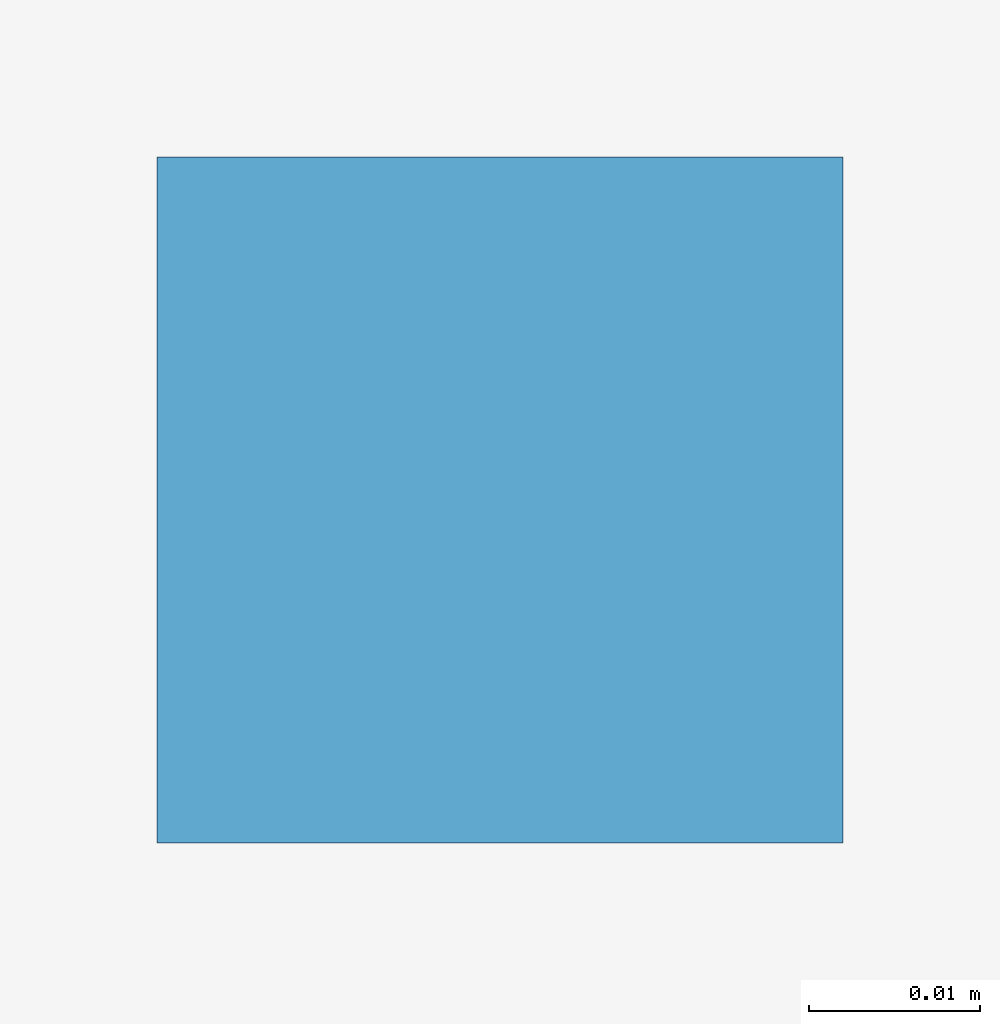
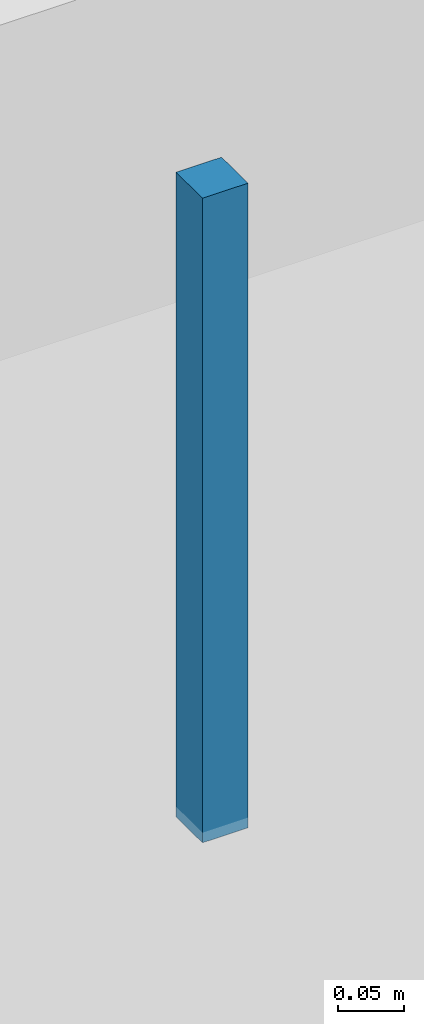
# One storey, part 57 of 74: 1 discrete accessory.
"""IFC4 building model written with IfcOpenShell, lengths in metres."""

from ifc_helpers import new_model, si_unit, direction, frame, origin, origin_2d, place, context, subcontext, project, spatial, rectangle, extrude, material, type_object, element, save


model = new_model("IFC4")

# Units and contexts
model_context = context("Model", 3, precision=1e-05, world=origin(), true_north=direction((0.0, 1.0)))
body_context = subcontext(model_context, "Body", "Model", "MODEL_VIEW")
ifc_project = project(units=[si_unit("LENGTHUNIT", "METRE"), si_unit("AREAUNIT", "SQUARE_METRE"), si_unit("VOLUMEUNIT", "CUBIC_METRE"), si_unit("PLANEANGLEUNIT", "RADIAN"), si_unit("MASSUNIT", "GRAM", prefix="KILO")], contexts=[model_context])

# Site, building, storey
site_placement = place(None, origin())
site = spatial("IfcSite", under=ifc_project, at=site_placement, CompositionType="ELEMENT")
building_placement = place(site_placement, origin())
building = spatial("IfcBuilding", under=site, at=building_placement, Name="Alvorim Cloister Faculty of Sciences", CompositionType="ELEMENT")
storey_placement = place(building_placement, frame((0.0, 0.0, 15.75)))
storey = spatial("IfcBuildingStorey", under=building, at=storey_placement, Name="L04", CompositionType="ELEMENT", Elevation=15.75)

# Discrete accessory
ifc_material = material(Name="Galvanised Painted Steel", Category="steel")
discrete_accessory_type = type_object("IfcDiscreteAccessoryType", Name="ACC-CEIL-ROD", PredefinedType="BRACKET", material=ifc_material)
discrete_accessory_placement = place(storey_placement, frame((97.75, 5.75, 2.81005859375), z_axis=(0.0, 0.0, 1.0), x_axis=(1.0, 0.0, 0.0)))
element("IfcDiscreteAccessory", 1, at=discrete_accessory_placement, inside=storey, type_object=discrete_accessory_type, Name="Ceiling Suspension Bracket ACC-ROD-030", PredefinedType="BRACKET", context=body_context, shape_type="SweptSolid", body=[
    extrude(rectangle(XDim=0.0400390625, YDim=0.0400390625, at=origin_2d()), origin(), (0.0, 0.0, 1.0), 0.599853515625),
])

save(model, "model.ifc")
